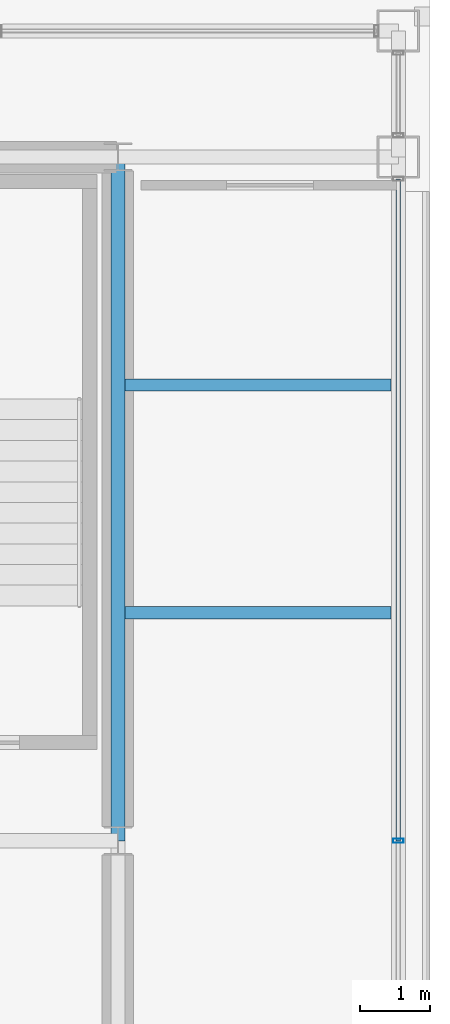
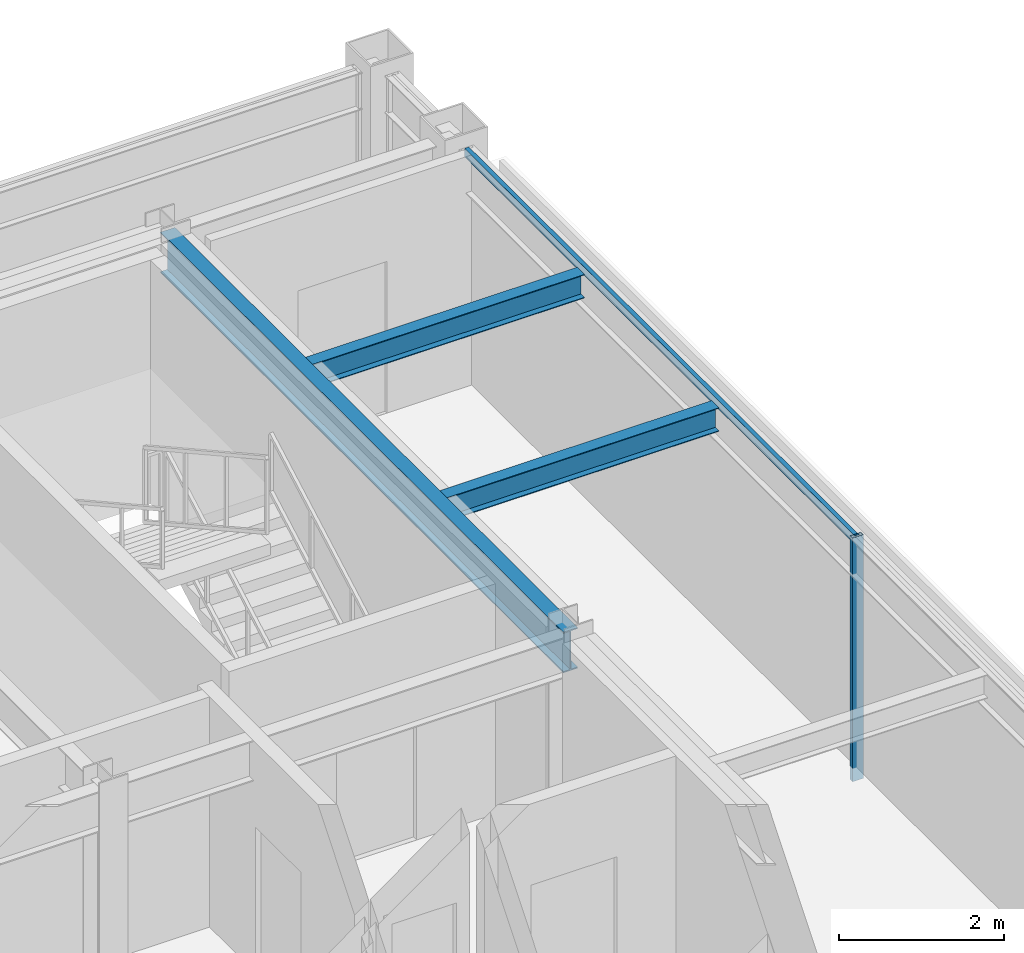
# One storey, part 17 of 28: 3 beams, 2 members, 1 element without a shape of its own.
"""IFC4 building model written with IfcOpenShell, lengths in metres."""

from ifc_helpers import new_model, si_unit, direction, frame, origin, origin_2d, place, context, subcontext, project, spatial, hollow_rectangle, i_section, extrude, material, layer, layer_set, material_profile, profile_set, type_object, element, aggregate, save


model = new_model("IFC4")

# Units and contexts
model_context = context("Model", 3, precision=1e-05, world=origin(), true_north=direction((0.0, 1.0)))
body_context = subcontext(model_context, "Body", "Model", "MODEL_VIEW")
ifc_project = project(units=[si_unit("LENGTHUNIT", "METRE"), si_unit("AREAUNIT", "SQUARE_METRE"), si_unit("VOLUMEUNIT", "CUBIC_METRE"), si_unit("PLANEANGLEUNIT", "RADIAN"), si_unit("MASSUNIT", "GRAM", prefix="KILO")], contexts=[model_context])

# Site, building, storey
site_placement = place(None, origin())
site = spatial("IfcSite", under=ifc_project, at=site_placement, CompositionType="ELEMENT")
building_placement = place(site_placement, origin())
building = spatial("IfcBuilding", under=site, at=building_placement, Name="Brelmoor Portico Tower", CompositionType="ELEMENT")
storey_placement = place(building_placement, frame((0.0, 0.0, 265.199951171875)))
storey = spatial("IfcBuildingStorey", under=building, at=storey_placement, Name="L70", CompositionType="ELEMENT", Elevation=265.199951171875)

# Beams
ifc_material_1 = material(Name="Steel Q355B", Category="steel")
ifc_material_profile_1 = material_profile(ifc_material_1, i_section(OverallWidth=0.175048828125, OverallDepth=0.35009765625, WebThickness=0.007080078125, FlangeThickness=0.010986328125, at=origin_2d()), Name="HN 350x175x7x11")
ifc_profile_set_1 = profile_set([ifc_material_profile_1], Name="Steel Q355B")
beam_type_1 = type_object("IfcBeamType", Name="BM-JS-350", PredefinedType="JOIST", material=ifc_profile_set_1)
for number, where, z_axis, x_axis, name in (
    (1, (14.64990234375, 3.25, 3.22509765625), (1.0, 0.0, 0.0), (0.0, 1.0, 0.0), "L70 Secondary Wing Joist JS-E13"),
    (2, (14.64990234375, 6.5, 3.22509765625), (1.0, 0.0, 0.0), (0.0, 1.0, 0.0), "L70 Secondary Wing Joist JS-E14"),
):
    element("IfcBeam", number, at=place(storey_placement, frame(where, z_axis=z_axis, x_axis=x_axis)), inside=storey, type_object=beam_type_1, Name=name, PredefinedType="JOIST", context=body_context, shape_type="SweptSolid", body=[
        extrude(i_section(OverallWidth=0.175048828125, OverallDepth=0.35009765625, WebThickness=0.007080078125, FlangeThickness=0.010986328125, at=origin_2d()), origin(), (0.0, 0.0, 1.0), 3.800048828125),
    ])
ifc_material_profile_2 = material_profile(ifc_material_1, i_section(OverallWidth=0.199951171875, OverallDepth=0.60009765625, WebThickness=0.010986328125, FlangeThickness=0.01708984375, at=origin_2d()), Name="HN 600x200x11x17")
ifc_profile_set_2 = profile_set([ifc_material_profile_2], Name="Steel Q355B")
beam_type_2 = type_object("IfcBeamType", Name="BM-PG-600", PredefinedType="BEAM", material=ifc_profile_set_2)
beam_placement = place(storey_placement, frame((14.550048828125, 0.0, 3.10009765625), z_axis=(0.0, 1.0, 0.0), x_axis=(-1.0, 0.0, 0.0)))
element("IfcBeam", 3, at=beam_placement, inside=storey, type_object=beam_type_2, Name="L70 Primary Floor Girder PG-10", PredefinedType="BEAM", context=body_context, shape_type="SweptSolid", body=[
    extrude(i_section(OverallWidth=0.199951171875, OverallDepth=0.60009765625, WebThickness=0.010986328125, FlangeThickness=0.01708984375, at=origin_2d()), origin(), (0.0, 0.0, 1.0), 9.75),
])

# Curtain wall, members
ifc_material_2 = material(Name="Anodised Aluminium Alloy 6063-T6", Category="aluminium")
ifc_layer = layer(ifc_material_2, 0.179931640625)
ifc_layer_set = layer_set([ifc_layer], Name="Anodised Aluminium Alloy 6063-T6")
curtain_wall_type = type_object("IfcCurtainWallType", Name="CW-TOWER-Z4-XB", PredefinedType="NOTDEFINED", material=ifc_layer_set)
curtain_wall_placement = place(storey_placement, origin())
curtain_wall = element("IfcCurtainWall", 4, at=curtain_wall_placement, inside=storey, type_object=curtain_wall_type, Name="L70 Curtain Wall CW-L70-04-2", PredefinedType="NOTDEFINED")
ifc_material_profile_3 = material_profile(ifc_material_2, hollow_rectangle(XDim=0.06005859375, YDim=0.14990234375, WallThickness=0.00390625, at=origin_2d()), Name="ALU MULLION 60x150")
ifc_profile_set_3 = profile_set([ifc_material_profile_3], Name="Anodised Aluminium Alloy 6063-T6")
member_type_1 = type_object("IfcMemberType", Name="MB-CW-MULL-150", PredefinedType="MULLION", material=ifc_profile_set_3)
member_1_placement = place(storey_placement, frame((18.550048828125, 0.0, -0.199951171875), z_axis=(0.0, 0.0, 1.0), x_axis=(0.0, 1.0, 0.0)))
member_1 = element("IfcMember", 5, at=member_1_placement, type_object=member_type_1, Name="CW-L70-04-2 Mullion 01", PredefinedType="MULLION", context=body_context, shape_type="SweptSolid", body=[
    extrude(hollow_rectangle(XDim=0.06005859375, YDim=0.14990234375, WallThickness=0.00390625, at=origin_2d()), origin(), (0.0, 0.0, 1.0), 3.60009765625),
])
ifc_material_profile_4 = material_profile(ifc_material_2, hollow_rectangle(XDim=0.06005859375, YDim=0.125, WallThickness=0.00341796875, at=origin_2d()), Name="ALU TRANSOM 60x125")
ifc_profile_set_4 = profile_set([ifc_material_profile_4], Name="Anodised Aluminium Alloy 6063-T6")
member_type_2 = type_object("IfcMemberType", Name="MB-CW-TRAN-125", PredefinedType="USERDEFINED", material=ifc_profile_set_4)
member_2_placement = place(storey_placement, frame((18.550048828125, 0.0, 3.337646484375), z_axis=(0.0, 1.0, 0.0), x_axis=(-1.0, 0.0, 0.0)))
member_2 = element("IfcMember", 6, at=member_2_placement, type_object=member_type_2, Name="CW-L70-04-2 Transom 1-01", ObjectType="TRANSOM", PredefinedType="USERDEFINED", context=body_context, shape_type="SweptSolid", body=[
    extrude(hollow_rectangle(XDim=0.06005859375, YDim=0.125, WallThickness=0.00341796875, at=origin_2d()), origin(), (0.0, 0.0, 1.0), 9.43994140625),
])
aggregate(curtain_wall, [member_1, member_2])

save(model, "model.ifc")
